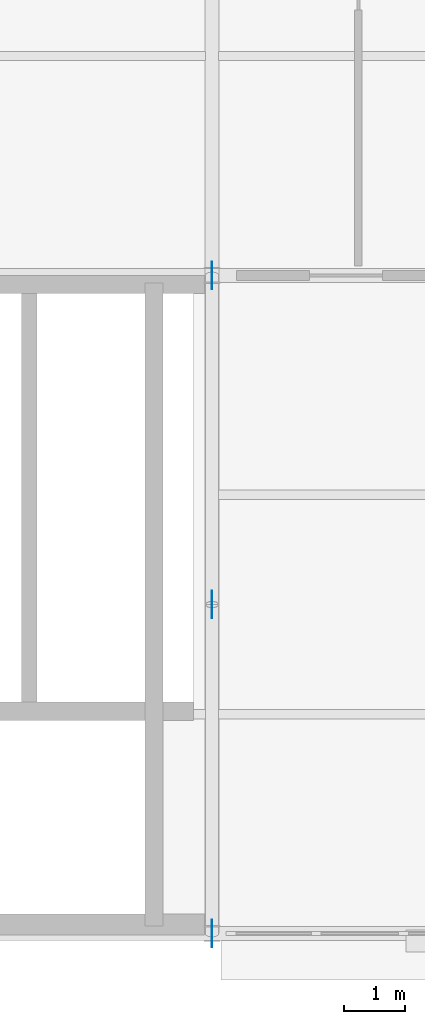
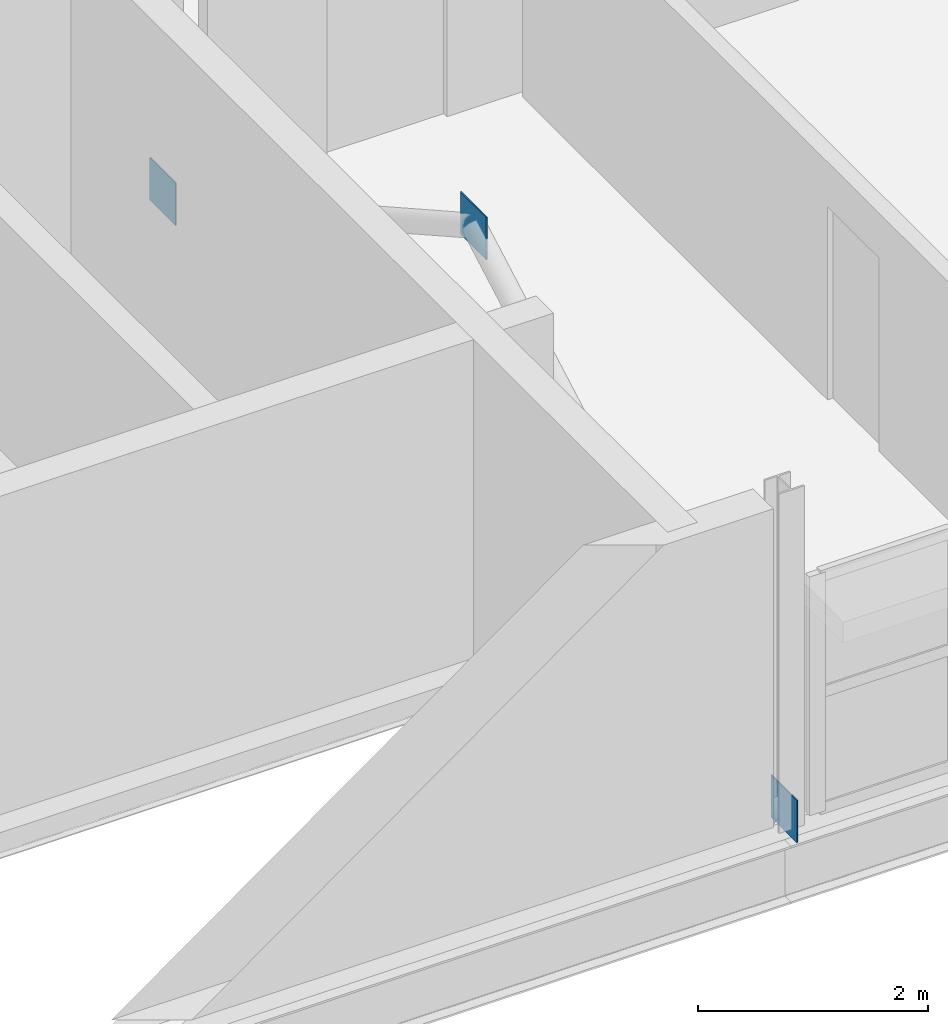
# One storey, part 48 of 62: 3 plates.
"""IFC4 building model written with IfcOpenShell, lengths in metres."""

from ifc_helpers import new_model, si_unit, direction, frame, origin, origin_2d, place, context, subcontext, project, spatial, rectangle, extrude, material, layer, layer_set, type_object, element, save


model = new_model("IFC4")

# Units and contexts
model_context = context("Model", 3, precision=1e-05, world=origin(), true_north=direction((0.0, 1.0)))
body_context = subcontext(model_context, "Body", "Model", "MODEL_VIEW")
ifc_project = project(units=[si_unit("LENGTHUNIT", "METRE"), si_unit("AREAUNIT", "SQUARE_METRE"), si_unit("VOLUMEUNIT", "CUBIC_METRE"), si_unit("PLANEANGLEUNIT", "RADIAN"), si_unit("MASSUNIT", "GRAM", prefix="KILO"), si_unit("THERMODYNAMICTEMPERATUREUNIT", "KELVIN"), si_unit("POWERUNIT", "WATT")], contexts=[model_context])

# Site, building, storey
site_placement = place(None, origin())
site = spatial("IfcSite", under=ifc_project, at=site_placement, CompositionType="ELEMENT")
building_placement = place(site_placement, origin())
building = spatial("IfcBuilding", under=site, at=building_placement, Name="Tembeka Court Mobility Hub", CompositionType="ELEMENT")
storey_placement = place(building_placement, frame((0.0, 0.0, 16.199951171875)))
storey = spatial("IfcBuildingStorey", under=building, at=storey_placement, Name="L04", CompositionType="ELEMENT", Elevation=16.199951171875)

# Plates
ifc_material = material(Name="Steel S355", Category="steel")
ifc_layer = layer(ifc_material, 0.011962890625)
ifc_layer_set = layer_set([ifc_layer], Name="Steel S355")
plate_type = type_object("IfcPlateType", Name="PL-NDP02", PredefinedType="USERDEFINED", material=ifc_layer_set)
for number, where, z_axis, x_axis, name in (
    (1, (164.39990234375, 0.0, -0.0849609375), (0.0, 0.0, 1.0), (1.0, 0.0, 0.0), "Chevron brace gusset plate NDP02 (L04-18-1)"),
    (2, (164.39990234375, 10.800048828125, -0.0849609375), (0.0, 0.0, 1.0), (1.0, 0.0, 0.0), "Chevron brace gusset plate NDP02 (L04-18-2)"),
    (3, (164.39990234375, 5.39990234375, 2.8251953125), (0.0, 0.0, 1.0), (1.0, 0.0, 0.0), "Chevron brace gusset plate NDP02 (L04-18-3)"),
):
    element("IfcPlate", number, at=place(storey_placement, frame(where, z_axis=z_axis, x_axis=x_axis)), inside=storey, type_object=plate_type, Name=name, ObjectType="GUSSET PLATE", PredefinedType="USERDEFINED", context=body_context, shape_type="SweptSolid", body=[
        extrude(rectangle(XDim=0.011962890625, YDim=0.449951171875, at=origin_2d()), origin(), (0.0, 0.0, 1.0), 0.449951171875),
    ])

save(model, "model.ifc")
